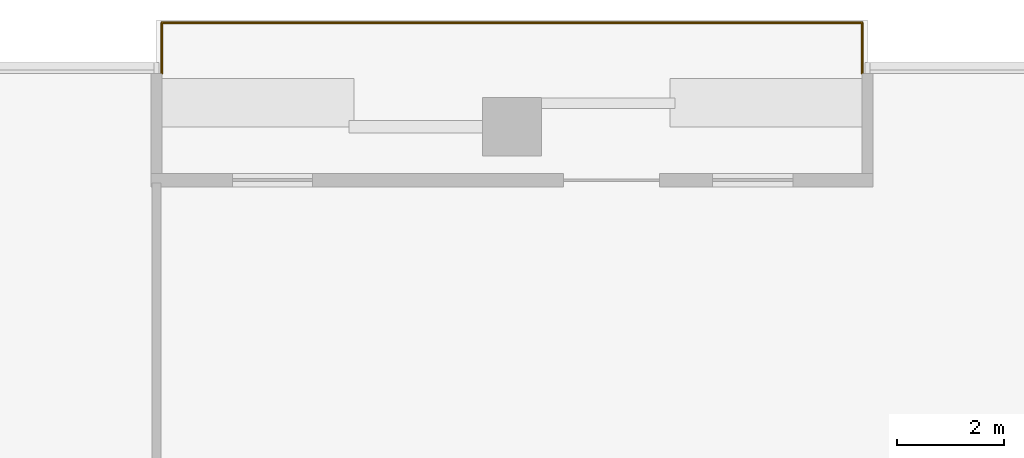
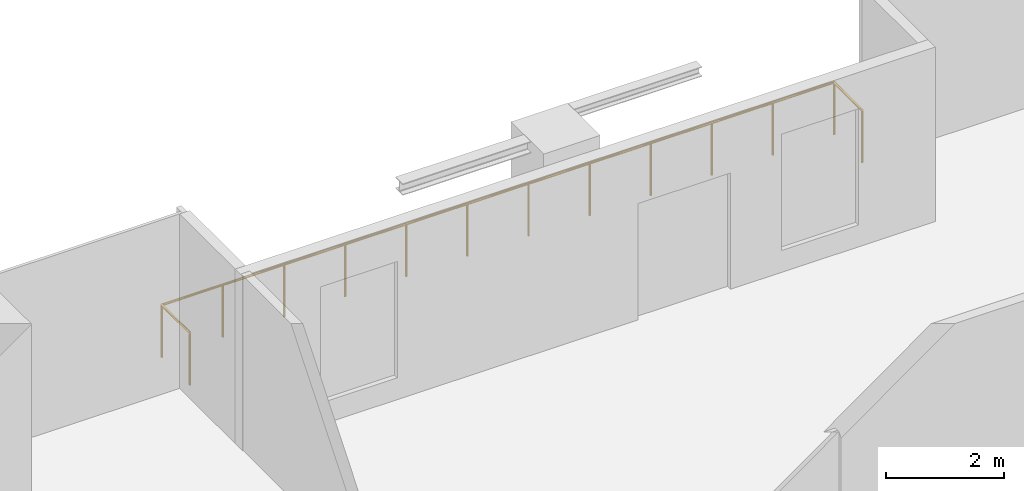
# One storey, part 14 of 14: 1 railing.
"""IFC4 building model written with IfcOpenShell, lengths in metres."""

from ifc_helpers import new_model, si_unit, direction, frame, origin, origin_2d, place, context, subcontext, project, spatial, circle, extrude, material, type_object, element, save


model = new_model("IFC4")

# Units and contexts
model_context = context("Model", 3, precision=1e-05, world=origin(), true_north=direction((0.0, 1.0)))
body_context = subcontext(model_context, "Body", "Model", "MODEL_VIEW")
ifc_project = project(units=[si_unit("LENGTHUNIT", "METRE"), si_unit("AREAUNIT", "SQUARE_METRE"), si_unit("VOLUMEUNIT", "CUBIC_METRE"), si_unit("PLANEANGLEUNIT", "RADIAN"), si_unit("MASSUNIT", "GRAM", prefix="KILO")], contexts=[model_context])

# Site, building, storey
site_placement = place(None, origin())
site = spatial("IfcSite", under=ifc_project, at=site_placement, CompositionType="ELEMENT")
building_placement = place(site_placement, origin())
building = spatial("IfcBuilding", under=site, at=building_placement, Name="Mopane Tessera Tower", CompositionType="ELEMENT")
storey_placement = place(building_placement, frame((0.0, 0.0, 239.0)))
storey = spatial("IfcBuildingStorey", under=building, at=storey_placement, Name="L51", CompositionType="ELEMENT", Elevation=239.0)

# Railing
ifc_material = material(Name="Stainless steel S316", Category="steel")
railing_type = type_object("IfcRailingType", Name="Terrace guard 1100", PredefinedType="GUARDRAIL", material=ifc_material)
railing_placement = place(storey_placement, frame((17.659912109375, 24.75, 0.0)))
element("IfcRailing", 1, at=railing_placement, inside=storey, type_object=railing_type, Name="e:nw:L51:N2:guard", PredefinedType="GUARDRAIL", context=body_context, shape_type="SweptSolid", body=[
    extrude(circle(Radius=0.02392578125, at=origin_2d()), frame((0.0, 0.0, 1.076171875), z_axis=(0.0, 1.0, 0.0), x_axis=(-1.0, 0.0, 0.0)), (0.0, 0.0, 1.0), 0.949951171875),
    extrude(circle(Radius=0.02392578125, at=origin_2d()), frame((0.0, 0.949951171875, 1.076171875), z_axis=(-1.0, 0.0, 0.0), x_axis=(0.0, -1.0, 0.0)), (0.0, 0.0, 1.0), 13.119873046875),
    extrude(circle(Radius=0.02392578125, at=origin_2d()), frame((-13.119873046875, 0.949951171875, 1.076171875), z_axis=(0.0, -1.0, 0.0), x_axis=(1.0, 0.0, 0.0)), (0.0, 0.0, 1.0), 0.949951171875),
    extrude(circle(Radius=0.02099609375, at=origin_2d()), origin(), (0.0, 0.0, 1.0), 1.052001953125),
    extrude(circle(Radius=0.02099609375, at=origin_2d()), frame((0.0, 0.949951171875, 0.0)), (0.0, 0.0, 1.0), 1.052001953125),
    extrude(circle(Radius=0.02099609375, at=origin_2d()), frame((-1.192626953125, 0.949951171875, 0.0)), (0.0, 0.0, 1.0), 1.052001953125),
    extrude(circle(Radius=0.02099609375, at=origin_2d()), frame((-2.385498046875, 0.949951171875, 0.0)), (0.0, 0.0, 1.0), 1.052001953125),
    extrude(circle(Radius=0.02099609375, at=origin_2d()), frame((-3.578125, 0.949951171875, 0.0)), (0.0, 0.0, 1.0), 1.052001953125),
    extrude(circle(Radius=0.02099609375, at=origin_2d()), frame((-4.770751953125, 0.949951171875, 0.0)), (0.0, 0.0, 1.0), 1.052001953125),
    extrude(circle(Radius=0.02099609375, at=origin_2d()), frame((-5.963623046875, 0.949951171875, 0.0)), (0.0, 0.0, 1.0), 1.052001953125),
    extrude(circle(Radius=0.02099609375, at=origin_2d()), frame((-7.15625, 0.949951171875, 0.0)), (0.0, 0.0, 1.0), 1.052001953125),
    extrude(circle(Radius=0.02099609375, at=origin_2d()), frame((-8.34912109375, 0.949951171875, 0.0)), (0.0, 0.0, 1.0), 1.052001953125),
    extrude(circle(Radius=0.02099609375, at=origin_2d()), frame((-9.541748046875, 0.949951171875, 0.0)), (0.0, 0.0, 1.0), 1.052001953125),
    extrude(circle(Radius=0.02099609375, at=origin_2d()), frame((-10.734375, 0.949951171875, 0.0)), (0.0, 0.0, 1.0), 1.052001953125),
    extrude(circle(Radius=0.02099609375, at=origin_2d()), frame((-11.92724609375, 0.949951171875, 0.0)), (0.0, 0.0, 1.0), 1.052001953125),
    extrude(circle(Radius=0.02099609375, at=origin_2d()), frame((-13.119873046875, 0.949951171875, 0.0)), (0.0, 0.0, 1.0), 1.052001953125),
    extrude(circle(Radius=0.02099609375, at=origin_2d()), frame((-13.119873046875, 0.0, 0.0)), (0.0, 0.0, 1.0), 1.052001953125),
])

save(model, "model.ifc")
